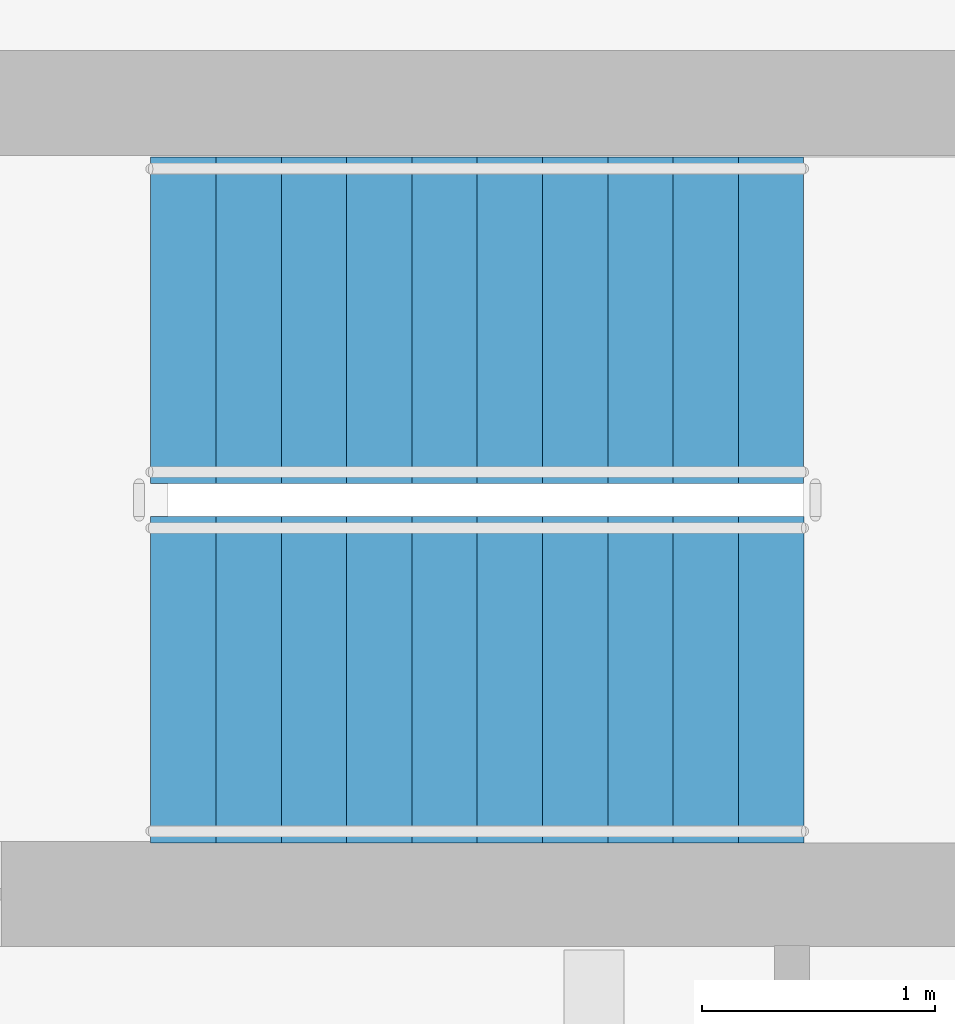
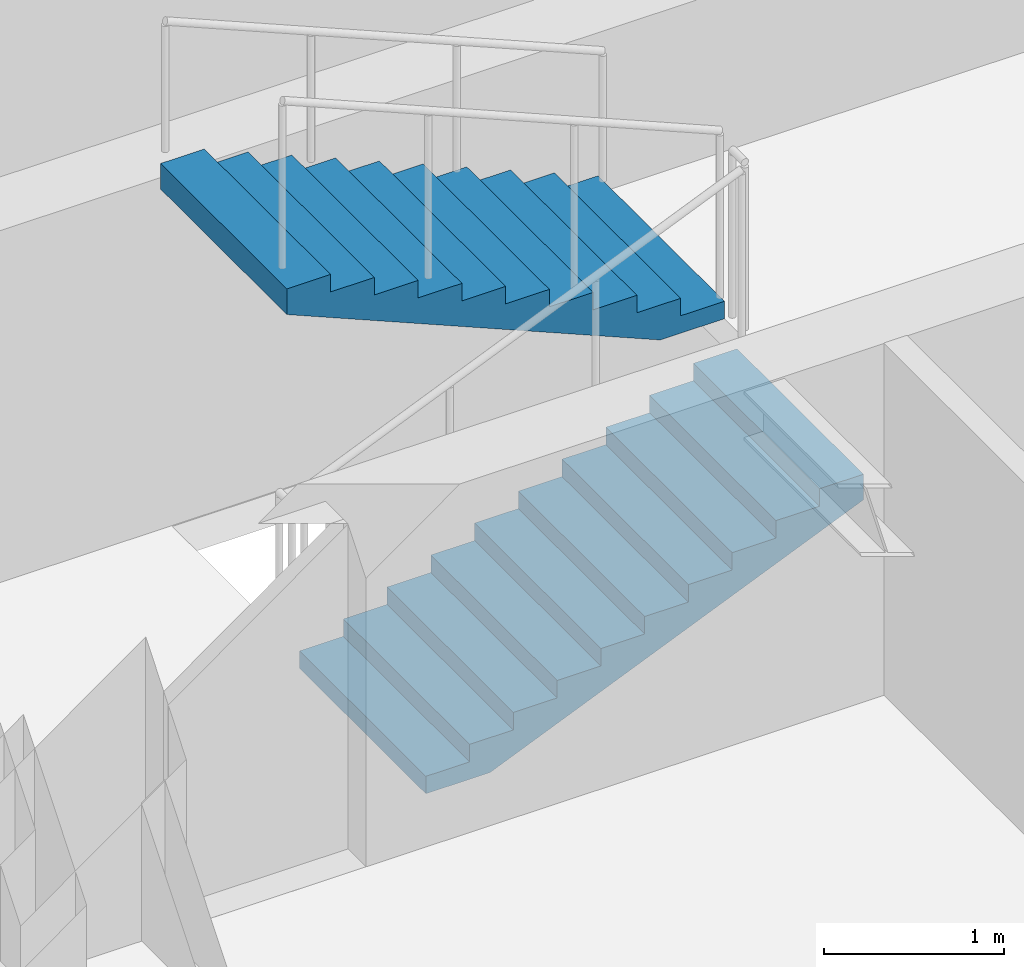
# One storey, part 3 of 4: 2 stair flights, 1 element without a shape of its own.
"""IFC4 building model written with IfcOpenShell, lengths in metres."""

from ifc_helpers import new_model, si_unit, direction, frame, origin, place, context, subcontext, project, spatial, polyline, outline, extrude, material, type_object, element, aggregate, save


model = new_model("IFC4")

# Units and contexts
model_context = context("Model", 3, precision=1e-05, world=origin(), true_north=direction((0.0, 1.0)))
body_context = subcontext(model_context, "Body", "Model", "MODEL_VIEW")
ifc_project = project(units=[si_unit("LENGTHUNIT", "METRE"), si_unit("AREAUNIT", "SQUARE_METRE"), si_unit("VOLUMEUNIT", "CUBIC_METRE"), si_unit("PLANEANGLEUNIT", "RADIAN"), si_unit("MASSUNIT", "GRAM", prefix="KILO")], contexts=[model_context])

# Site, building, storey
site_placement = place(None, origin())
site = spatial("IfcSite", under=ifc_project, at=site_placement, CompositionType="ELEMENT")
building_placement = place(site_placement, origin())
building = spatial("IfcBuilding", under=site, at=building_placement, Name="Mirazonda Arch Towers", CompositionType="ELEMENT")
storey_placement = place(building_placement, frame((0.0, 0.0, 268.699951171875)))
storey = spatial("IfcBuildingStorey", under=building, at=storey_placement, Name="L77", CompositionType="ELEMENT", Elevation=268.699951171875)

# Stair, stair flights
ifc_material = material(Name="Concrete C40/50", Category="concrete")
stair_type = type_object("IfcStairType", Name="STAIR-CORE-1400", PredefinedType="HALF_TURN_STAIR", material=ifc_material)
stair_placement = place(storey_placement, origin())
stair = element("IfcStair", 1, at=stair_placement, inside=storey, type_object=stair_type, Name="L77 Protected Exit Stair ST-T1N", PredefinedType="HALF_TURN_STAIR")
stair_flight_type = type_object("IfcStairFlightType", Name="FLIGHT-1400", PredefinedType="STRAIGHT", material=ifc_material)
stair_flight_1_placement = place(storey_placement, frame((13.85009765625, 38.52001953125, 0.0), z_axis=(0.0, 0.0, 1.0), x_axis=(1.0, 0.0, 0.0)))
stair_flight_1 = element("IfcStairFlight", 2, at=stair_flight_1_placement, type_object=stair_flight_type, Name="ST-T1N flight 1", NumberOfRisers=11, NumberOfTreads=10, PredefinedType="STRAIGHT", RiserHeight=0.118181818, TreadLength=0.28, context=body_context, shape_type="SweptSolid", body=[
    extrude(outline(polyline([(0.0, 0.0), (0.0, 0.1181640625), (0.280029296875, 0.1181640625), (0.280029296875, 0.236328125), (0.56005859375, 0.236328125), (0.56005859375, 0.3544921875), (0.840087890625, 0.3544921875), (0.840087890625, 0.47265625), (1.1201171875, 0.47265625), (1.1201171875, 0.5908203125), (1.39990234375, 0.5908203125), (1.39990234375, 0.708984375), (1.679931640625, 0.708984375), (1.679931640625, 0.827392578125), (1.9599609375, 0.827392578125), (1.9599609375, 0.945556640625), (2.239990234375, 0.945556640625), (2.239990234375, 1.063720703125), (2.52001953125, 1.063720703125), (2.52001953125, 1.181884765625), (2.800048828125, 1.181884765625), (2.800048828125, 1.300048828125), (2.800048828125, 1.00830078125), (0.4111328125, 0.0), (0.0, 0.0)])), frame((0.0, 0.699951171875, 0.0), z_axis=(0.0, -1.0, 0.0), x_axis=(1.0, 0.0, 0.0)), (0.0, 0.0, 1.0), 1.39990234375),
])
stair_flight_2_placement = place(storey_placement, frame((16.64990234375, 40.06005859375, 1.300048828125), z_axis=(0.0, 0.0, 1.0), x_axis=(-1.0, 0.0, 0.0)))
stair_flight_2 = element("IfcStairFlight", 3, at=stair_flight_2_placement, type_object=stair_flight_type, Name="ST-T1N flight 2", NumberOfRisers=11, NumberOfTreads=10, PredefinedType="STRAIGHT", RiserHeight=0.118181818, TreadLength=0.28, context=body_context, shape_type="SweptSolid", body=[
    extrude(outline(polyline([(0.0, 0.0), (0.0, 0.1181640625), (0.280029296875, 0.1181640625), (0.280029296875, 0.236328125), (0.56005859375, 0.236328125), (0.56005859375, 0.3544921875), (0.840087890625, 0.3544921875), (0.840087890625, 0.47265625), (1.1201171875, 0.47265625), (1.1201171875, 0.5908203125), (1.39990234375, 0.5908203125), (1.39990234375, 0.708984375), (1.679931640625, 0.708984375), (1.679931640625, 0.827392578125), (1.9599609375, 0.827392578125), (1.9599609375, 0.945556640625), (2.239990234375, 0.945556640625), (2.239990234375, 1.063720703125), (2.52001953125, 1.063720703125), (2.52001953125, 1.181884765625), (2.800048828125, 1.181884765625), (2.800048828125, 1.300048828125), (2.800048828125, 1.00830078125), (0.4111328125, 0.0), (0.0, 0.0)])), frame((0.0, 0.699951171875, 0.0), z_axis=(0.0, -1.0, 0.0), x_axis=(1.0, 0.0, 0.0)), (0.0, 0.0, 1.0), 1.39990234375),
])
aggregate(stair, [stair_flight_1, stair_flight_2])

save(model, "model.ifc")
